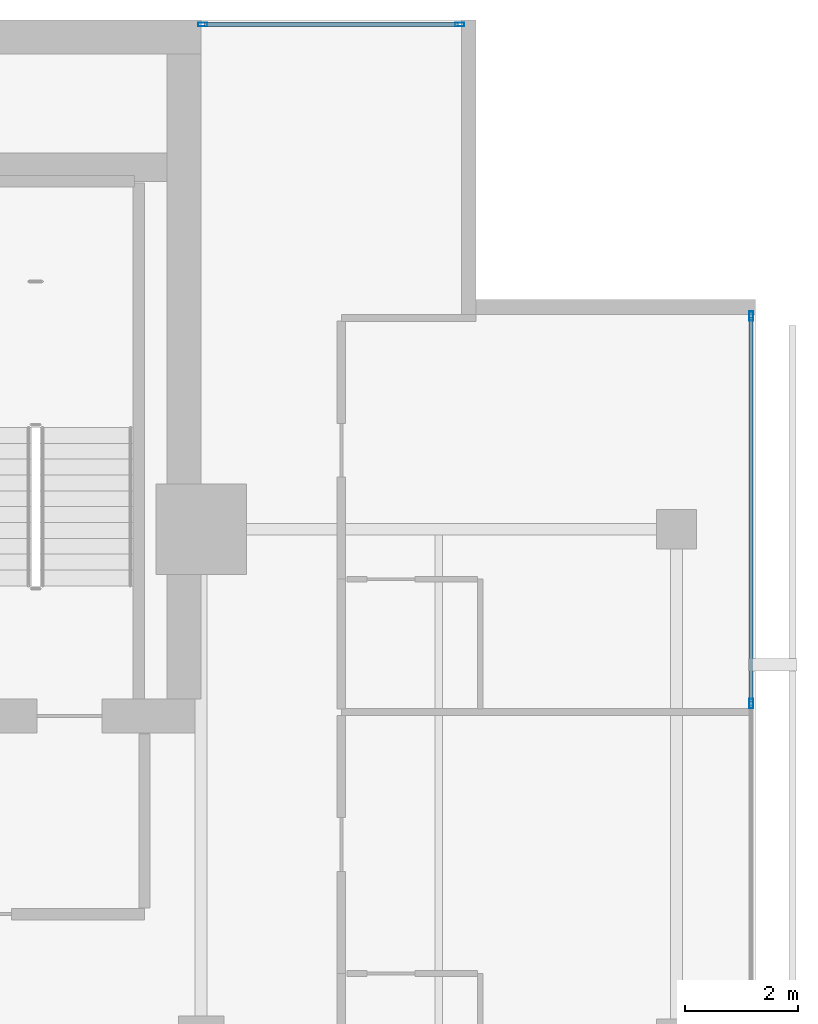
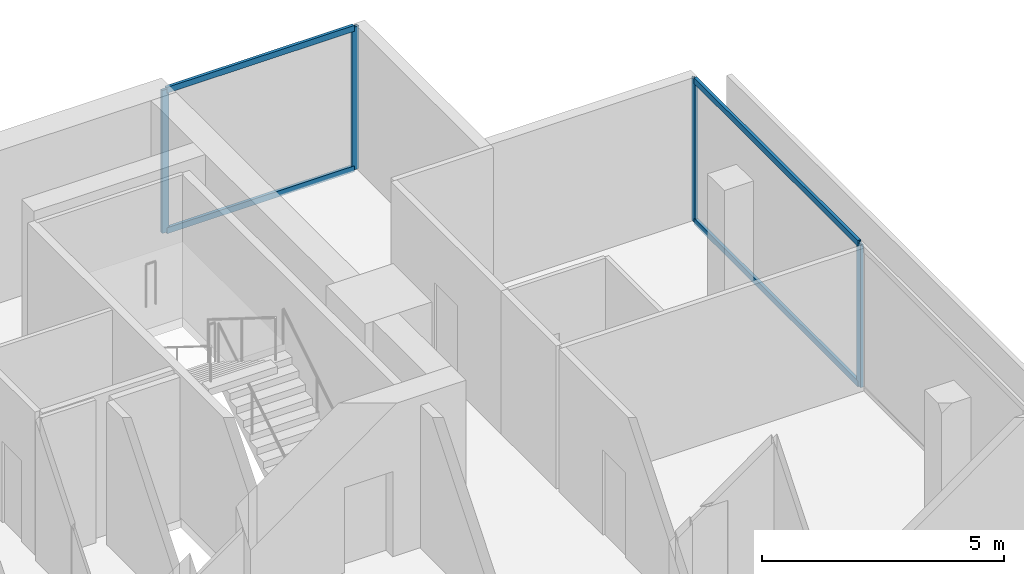
# One storey, part 18 of 26: 8 members, 2 elements without a shape of their own.
"""IFC4 building model written with IfcOpenShell, lengths in metres."""

from ifc_helpers import new_model, si_unit, direction, frame, origin, origin_2d, place, context, subcontext, project, spatial, hollow_rectangle, extrude, material, layer, layer_set, material_profile, profile_set, type_object, element, aggregate, save


model = new_model("IFC4")

# Units and contexts
model_context = context("Model", 3, precision=1e-05, world=origin(), true_north=direction((0.0, 1.0)))
body_context = subcontext(model_context, "Body", "Model", "MODEL_VIEW")
ifc_project = project(units=[si_unit("LENGTHUNIT", "METRE"), si_unit("AREAUNIT", "SQUARE_METRE"), si_unit("VOLUMEUNIT", "CUBIC_METRE"), si_unit("PLANEANGLEUNIT", "RADIAN"), si_unit("MASSUNIT", "GRAM", prefix="KILO")], contexts=[model_context])

# Site, building, storey
site_placement = place(None, origin())
site = spatial("IfcSite", under=ifc_project, at=site_placement, CompositionType="ELEMENT")
building_placement = place(site_placement, origin())
building = spatial("IfcBuilding", under=site, at=building_placement, Name="Maruvema Waterfront Hotel and Observation Tower", CompositionType="ELEMENT")
storey_placement = place(building_placement, frame((0.0, 0.0, 243.25)))
storey = spatial("IfcBuildingStorey", under=building, at=storey_placement, Name="L59", CompositionType="ELEMENT", Elevation=243.25)

# Curtain wall, members
ifc_material_1 = material(Name="Anodised bronze aluminium and solar-control low-E IGU", Category="aluminium")
ifc_layer = layer(ifc_material_1, 0.159912109375, Name="Zone 3 Champagne Inner Thermal Curtain Wall System CW-04")
ifc_layer_set = layer_set([ifc_layer], Name="Anodised bronze aluminium and solar-control low-E IGU")
curtain_wall_type = type_object("IfcCurtainWallType", Name="Zone 3 Champagne Inner Thermal Curtain Wall System CW-04", PredefinedType="USERDEFINED", material=ifc_layer_set)
curtain_wall_1_placement = place(storey_placement, origin())
curtain_wall_1 = element("IfcCurtainWall", 1, at=curtain_wall_1_placement, inside=storey, type_object=curtain_wall_type, Name="L59 Curtain Wall CW-L59-E", ObjectType="UNITISED CURTAIN WALL", PredefinedType="USERDEFINED")
ifc_material_2 = material(Name="Anodised architectural bronze aluminium", Category="aluminium")
ifc_material_profile_1 = material_profile(ifc_material_2, hollow_rectangle(XDim=0.070068359375, YDim=0.14990234375, WallThickness=0.00390625, at=origin_2d()), Name="ALU-T70x150")
ifc_profile_set_1 = profile_set([ifc_material_profile_1], Name="Anodised architectural bronze aluminium")
member_type_1 = type_object("IfcMemberType", Name="Curtain Wall Horizontal Transom ALU-T70x150", PredefinedType="USERDEFINED", material=ifc_profile_set_1)
member_1_placement = place(storey_placement, frame((60.1201171875, 41.949951171875, 0.030029296875), z_axis=(0.0, 1.0, 0.0), x_axis=(-1.0, 0.0, 0.0)))
member_1 = element("IfcMember", 2, at=member_1_placement, type_object=member_type_1, Name="CW-04 transom 5.1", ObjectType="TRANSOM", PredefinedType="USERDEFINED", context=body_context, shape_type="SweptSolid", body=[
    extrude(hollow_rectangle(XDim=0.070068359375, YDim=0.14990234375, WallThickness=0.00390625, at=origin_2d()), origin(), (0.0, 0.0, 1.0), 6.7900390625),
])
member_2_placement = place(storey_placement, frame((60.1201171875, 41.949951171875, 3.580078125), z_axis=(0.0, 1.0, 0.0), x_axis=(-1.0, 0.0, 0.0)))
member_2 = element("IfcMember", 3, at=member_2_placement, type_object=member_type_1, Name="CW-04 transom 5.2", ObjectType="TRANSOM", PredefinedType="USERDEFINED", context=body_context, shape_type="SweptSolid", body=[
    extrude(hollow_rectangle(XDim=0.070068359375, YDim=0.14990234375, WallThickness=0.00390625, at=origin_2d()), origin(), (0.0, 0.0, 1.0), 6.7900390625),
])

curtain_wall_2_placement = place(storey_placement, origin())
curtain_wall_2 = element("IfcCurtainWall", 4, at=curtain_wall_2_placement, inside=storey, type_object=curtain_wall_type, Name="L59 Curtain Wall CW-L59-NE", ObjectType="UNITISED CURTAIN WALL", PredefinedType="USERDEFINED")
member_3_placement = place(storey_placement, frame((54.93994140625, 53.919921875, 0.030029296875), z_axis=(-1.0, 0.0, 0.0), x_axis=(0.0, -1.0, 0.0)))
member_3 = element("IfcMember", 5, at=member_3_placement, type_object=member_type_1, Name="CW-04 transom 1.1", ObjectType="TRANSOM", PredefinedType="USERDEFINED", context=body_context, shape_type="SweptSolid", body=[
    extrude(hollow_rectangle(XDim=0.070068359375, YDim=0.14990234375, WallThickness=0.00390625, at=origin_2d()), origin(), (0.0, 0.0, 1.0), 4.47998046875),
])
member_4_placement = place(storey_placement, frame((54.93994140625, 53.919921875, 3.580078125), z_axis=(-1.0, 0.0, 0.0), x_axis=(0.0, -1.0, 0.0)))
member_4 = element("IfcMember", 6, at=member_4_placement, type_object=member_type_1, Name="CW-04 transom 1.2", ObjectType="TRANSOM", PredefinedType="USERDEFINED", context=body_context, shape_type="SweptSolid", body=[
    extrude(hollow_rectangle(XDim=0.070068359375, YDim=0.14990234375, WallThickness=0.00390625, at=origin_2d()), origin(), (0.0, 0.0, 1.0), 4.47998046875),
])

# Member
ifc_material_3 = material(Name="Anodised architectural bronze aluminium", Category="aluminium")
ifc_material_profile_2 = material_profile(ifc_material_3, hollow_rectangle(XDim=0.06494140625, YDim=0.1650390625, WallThickness=0.00390625, at=origin_2d()), Name="ALU-M65x165")
ifc_profile_set_2 = profile_set([ifc_material_profile_2], Name="Anodised architectural bronze aluminium")
member_type_2 = type_object("IfcMemberType", Name="Curtain Wall Primary Mullion ALU-M65x165", PredefinedType="MULLION", material=ifc_profile_set_2)
member_5_placement = place(storey_placement, frame((60.1201171875, 41.919921875, 0.0), z_axis=(0.0, 0.0, 1.0), x_axis=(-1.0, 0.0, 0.0)))
member_5 = element("IfcMember", 7, at=member_5_placement, type_object=member_type_2, Name="CW-04 mullion 5", PredefinedType="MULLION", context=body_context, shape_type="SweptSolid", body=[
    extrude(hollow_rectangle(XDim=0.06494140625, YDim=0.1650390625, WallThickness=0.00390625, at=origin_2d()), origin(), (0.0, 0.0, 1.0), 3.610107421875),
])

member_6_placement = place(storey_placement, frame((60.1201171875, 48.77001953125, 0.0), z_axis=(0.0, 0.0, 1.0), x_axis=(-1.0, 0.0, 0.0)))
member_6 = element("IfcMember", 8, at=member_6_placement, type_object=member_type_2, Name="CW-04 mullion 6", PredefinedType="MULLION", context=body_context, shape_type="SweptSolid", body=[
    extrude(hollow_rectangle(XDim=0.06494140625, YDim=0.1650390625, WallThickness=0.00390625, at=origin_2d()), origin(), (0.0, 0.0, 1.0), 3.610107421875),
])

aggregate(curtain_wall_1, [member_5, member_6, member_1, member_2])

member_7_placement = place(storey_placement, frame((54.969970703125, 53.919921875, 0.0), z_axis=(0.0, 0.0, 1.0), x_axis=(0.0, -1.0, 0.0)))
member_7 = element("IfcMember", 9, at=member_7_placement, type_object=member_type_2, Name="CW-04 mullion 1", PredefinedType="MULLION", context=body_context, shape_type="SweptSolid", body=[
    extrude(hollow_rectangle(XDim=0.06494140625, YDim=0.1650390625, WallThickness=0.00390625, at=origin_2d()), origin(), (0.0, 0.0, 1.0), 3.610107421875),
])

member_8_placement = place(storey_placement, frame((50.429931640625, 53.919921875, 0.0), z_axis=(0.0, 0.0, 1.0), x_axis=(0.0, -1.0, 0.0)))
member_8 = element("IfcMember", 10, at=member_8_placement, type_object=member_type_2, Name="CW-04 mullion 2", PredefinedType="MULLION", context=body_context, shape_type="SweptSolid", body=[
    extrude(hollow_rectangle(XDim=0.06494140625, YDim=0.1650390625, WallThickness=0.00390625, at=origin_2d()), origin(), (0.0, 0.0, 1.0), 3.610107421875),
])

aggregate(curtain_wall_2, [member_7, member_8, member_3, member_4])

save(model, "model.ifc")
